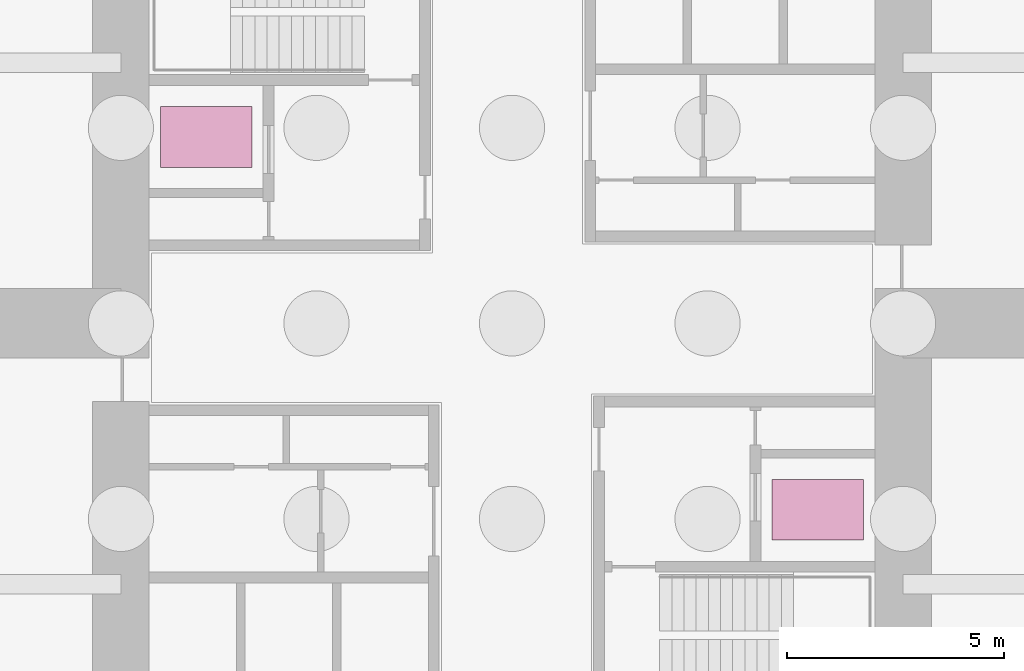
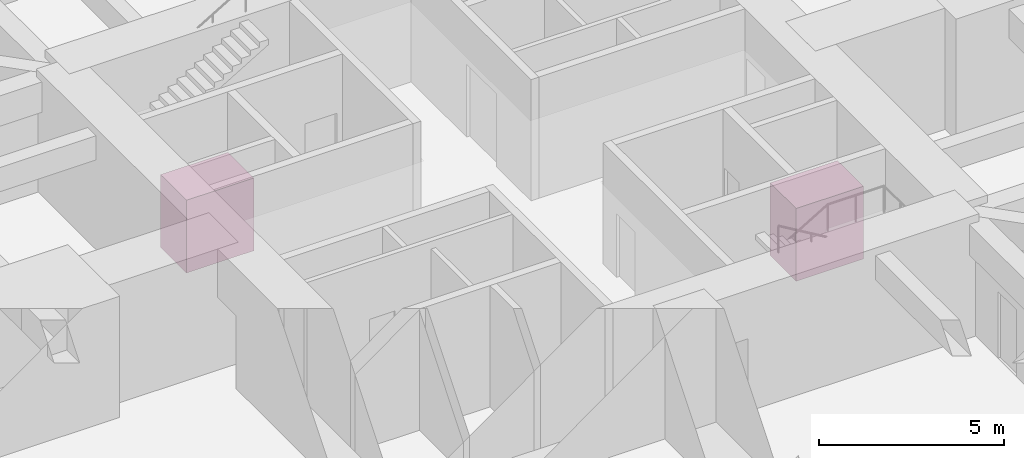
# One storey, part 8 of 8: 2 transport elements.
"""IFC4 building model written with IfcOpenShell, lengths in metres."""

from ifc_helpers import new_model, si_unit, direction, frame, origin, origin_2d, place, context, subcontext, project, spatial, rectangle, extrude, material, type_object, element, save


model = new_model("IFC4")

# Units and contexts
model_context = context("Model", 3, precision=1e-05, world=origin(), true_north=direction((0.0, 1.0)))
body_context = subcontext(model_context, "Body", "Model", "MODEL_VIEW")
ifc_project = project(units=[si_unit("LENGTHUNIT", "METRE"), si_unit("AREAUNIT", "SQUARE_METRE"), si_unit("VOLUMEUNIT", "CUBIC_METRE"), si_unit("PLANEANGLEUNIT", "RADIAN"), si_unit("MASSUNIT", "GRAM", prefix="KILO")], contexts=[model_context])

# Site, building, storey
site_placement = place(None, origin())
site = spatial("IfcSite", under=ifc_project, at=site_placement, CompositionType="ELEMENT")
building_placement = place(site_placement, origin())
building = spatial("IfcBuilding", under=site, at=building_placement, Name="Torre Cruceta", CompositionType="ELEMENT")
storey_placement = place(building_placement, frame((0.0, 0.0, -8.0)))
storey = spatial("IfcBuildingStorey", under=building, at=storey_placement, Name="B02", CompositionType="ELEMENT", Elevation=-8.0)

# Transport elements
ifc_material = material(Name="Stainless steel 1.4401", Category="steel")
transport_element_type = type_object("IfcTransportElementType", Name="FIREFIGHTING LIFT CAR 1400X2100", PredefinedType="ELEVATOR", material=ifc_material)
for number, where, z_axis, x_axis, name in (
    (1, (-7.03759765625, 4.28759765625, 0.0), (0.0, 0.0, 1.0), (1.0, 0.0, 0.0), "Fire-fighting lift FL1"),
    (2, (7.03759765625, -4.28759765625, 0.0), (0.0, 0.0, 1.0), (1.0, 0.0, 0.0), "Fire-fighting lift FL2"),
):
    element("IfcTransportElement", number, at=place(storey_placement, frame(where, z_axis=z_axis, x_axis=x_axis)), inside=storey, type_object=transport_element_type, Name=name, PredefinedType="ELEVATOR", context=body_context, shape_type="SweptSolid", body=[
        extrude(rectangle(XDim=2.10009765625, YDim=1.39990234375, at=origin_2d()), origin(), (0.0, 0.0, 1.0), 2.39990234375),
    ])

save(model, "model.ifc")
